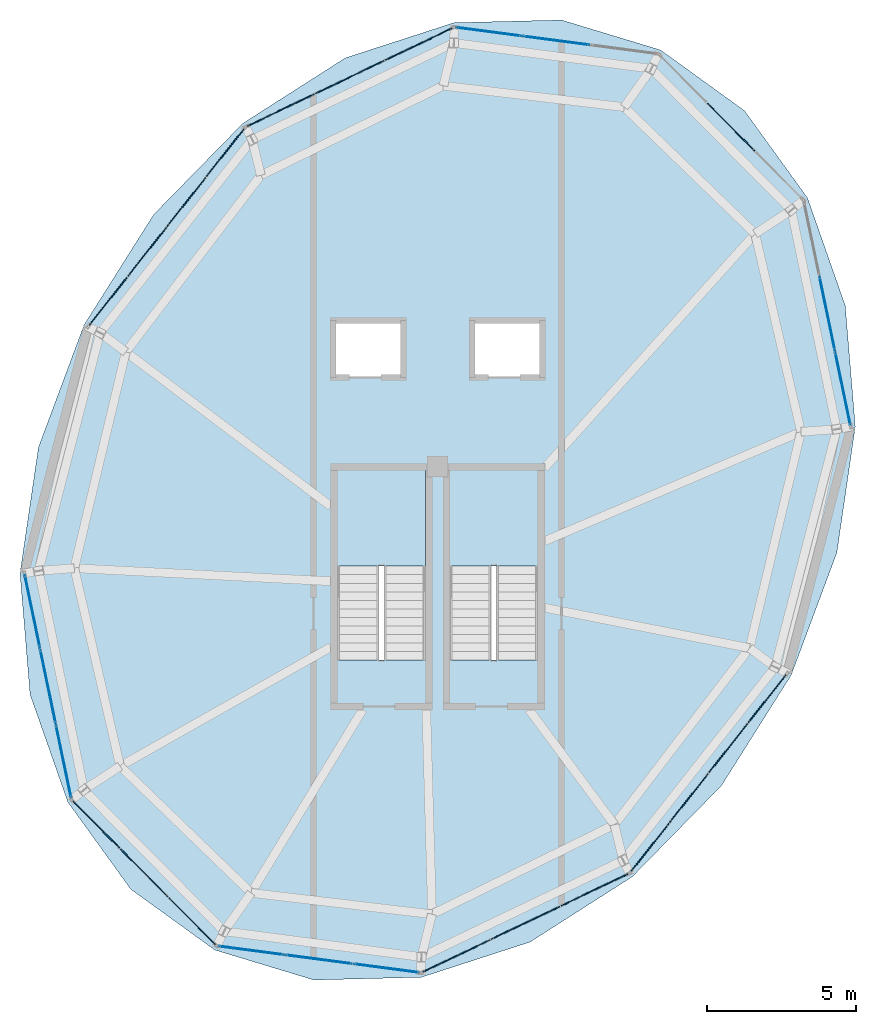
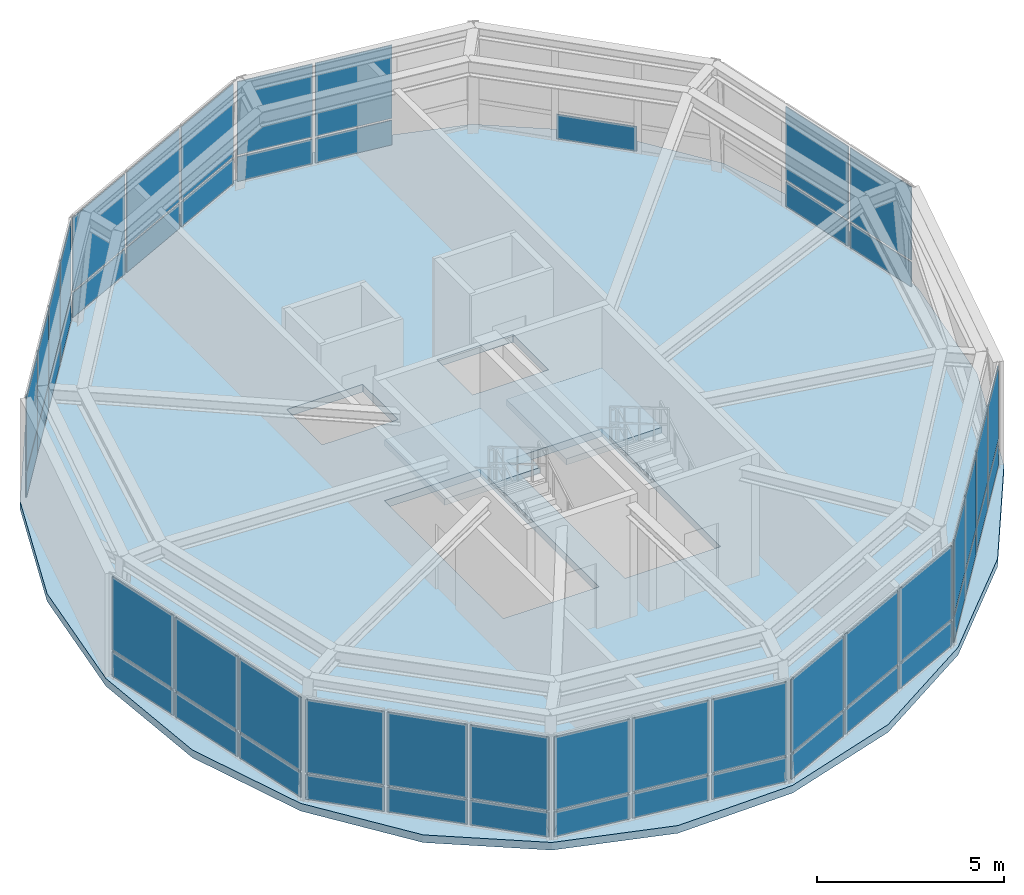
# One storey, part 9 of 11: 55 plates, 3 slabs, 12 elements without a shape of their own.
"""IFC4 building model written with IfcOpenShell, lengths in metres."""

from ifc_helpers import new_model, si_unit, direction, frame, origin, origin_2d, place, context, subcontext, project, spatial, polyline, rectangle, outline, extrude, material, layer, layer_set, type_object, element, aggregate, save


model = new_model("IFC4")

# Units and contexts
model_context = context("Model", 3, precision=1e-05, world=origin(), true_north=direction((0.0, 1.0)))
body_context = subcontext(model_context, "Body", "Model", "MODEL_VIEW")
ifc_project = project(units=[si_unit("LENGTHUNIT", "METRE"), si_unit("AREAUNIT", "SQUARE_METRE"), si_unit("VOLUMEUNIT", "CUBIC_METRE"), si_unit("PLANEANGLEUNIT", "RADIAN"), si_unit("MASSUNIT", "GRAM", prefix="KILO"), si_unit("THERMODYNAMICTEMPERATUREUNIT", "KELVIN"), si_unit("POWERUNIT", "WATT")], contexts=[model_context])

# Site, building, storey
site_placement = place(None, origin())
site = spatial("IfcSite", under=ifc_project, at=site_placement, CompositionType="ELEMENT")
building_placement = place(site_placement, origin())
building = spatial("IfcBuilding", under=site, at=building_placement, Name="Ocrelia Relay Tower", CompositionType="ELEMENT")
storey_placement = place(building_placement, frame((0.0, 0.0, 292.0)))
storey = spatial("IfcBuildingStorey", under=building, at=storey_placement, Name="L73", CompositionType="ELEMENT", Elevation=292.0)

# Curtain wall, plates
ifc_material_1 = material(Name="Aluminium and solar-control low-E glass", Category="aluminium")
ifc_layer_1 = layer(ifc_material_1, 0.179931640625, Name="Aluminium and solar-control low-E glass")
ifc_layer_set_1 = layer_set([ifc_layer_1], Name="Aluminium and solar-control low-E glass")
curtain_wall_type = type_object("IfcCurtainWallType", Name="CW-SYS-CROWN-PT", PredefinedType="NOTDEFINED", material=ifc_layer_set_1)
curtain_wall_1_placement = place(storey_placement, origin())
curtain_wall_1 = element("IfcCurtainWall", 1, at=curtain_wall_1_placement, inside=storey, type_object=curtain_wall_type, Name="L73 Faceted Glass-Point Crown Curtain Wall 01", PredefinedType="NOTDEFINED")
ifc_material_2 = material(Name="Clear double-glazed low-E glass", Category="glass")
ifc_layer_2 = layer(ifc_material_2, 0.031982421875, Name="Clear double-glazed low-E glass")
ifc_layer_set_2 = layer_set([ifc_layer_2], Name="Clear double-glazed low-E glass")
plate_type = type_object("IfcPlateType", Name="CW-SYS-CROWN-PT-PNL", PredefinedType="CURTAIN_PANEL", material=ifc_layer_set_2)
plate_1_placement = place(storey_placement, frame((37.9716796875, 41.36865234375, 0.06494140625), z_axis=(0.0, 0.0, 1.0), x_axis=(-0.991499842272, 0.13010788898, 0.0)))
plate_1 = element("IfcPlate", 2, at=plate_1_placement, type_object=plate_type, Name="CW-CR panel 2.1", PredefinedType="CURTAIN_PANEL", context=body_context, shape_type="SweptSolid", body=[
    extrude(rectangle(XDim=2.2236328125, YDim=0.031982421875, at=origin_2d()), origin(), (0.0, 0.0, 1.0), 0.802490234375),
])
plate_2_placement = place(storey_placement, frame((37.9716796875, 41.36865234375, 0.932373046875), z_axis=(0.0, 0.0, 1.0), x_axis=(-0.991499842272, 0.13010788898, 0.0)))
plate_2 = element("IfcPlate", 3, at=plate_2_placement, type_object=plate_type, Name="CW-CR panel 2.2", PredefinedType="CURTAIN_PANEL", context=body_context, shape_type="SweptSolid", body=[
    extrude(rectangle(XDim=2.2236328125, YDim=0.031982421875, at=origin_2d()), origin(), (0.0, 0.0, 1.0), 2.392578125),
])
plate_3_placement = place(storey_placement, frame((35.711181640625, 41.665283203125, 0.06494140625), z_axis=(0.0, 0.0, 1.0), x_axis=(-0.991499842272, 0.13010788898, 0.0)))
plate_3 = element("IfcPlate", 4, at=plate_3_placement, type_object=plate_type, Name="CW-CR panel 3.1", PredefinedType="CURTAIN_PANEL", context=body_context, shape_type="SweptSolid", body=[
    extrude(rectangle(XDim=2.18603515625, YDim=0.031982421875, at=origin_2d()), origin(), (0.0, 0.0, 1.0), 0.802490234375),
])
plate_4_placement = place(storey_placement, frame((35.711181640625, 41.665283203125, 0.932373046875), z_axis=(0.0, 0.0, 1.0), x_axis=(-0.991499842272, 0.13010788898, 0.0)))
plate_4 = element("IfcPlate", 5, at=plate_4_placement, type_object=plate_type, Name="CW-CR panel 3.2", PredefinedType="CURTAIN_PANEL", context=body_context, shape_type="SweptSolid", body=[
    extrude(rectangle(XDim=2.18603515625, YDim=0.031982421875, at=origin_2d()), origin(), (0.0, 0.0, 1.0), 2.392578125),
])
aggregate(curtain_wall_1, [plate_1, plate_2, plate_3, plate_4])

curtain_wall_2_placement = place(storey_placement, origin())
curtain_wall_2 = element("IfcCurtainWall", 6, at=curtain_wall_2_placement, inside=storey, type_object=curtain_wall_type, Name="L73 Faceted Glass-Point Crown Curtain Wall 02", PredefinedType="NOTDEFINED")
plate_5_placement = place(storey_placement, frame((33.371826171875, 41.25244140625, 0.06494140625), z_axis=(0.0, 0.0, 1.0), x_axis=(-0.902123949301, -0.431476975166, 0.0)))
plate_5 = element("IfcPlate", 7, at=plate_5_placement, type_object=plate_type, Name="CW-CR panel 1.1", PredefinedType="CURTAIN_PANEL", context=body_context, shape_type="SweptSolid", body=[
    extrude(rectangle(XDim=2.468505859375, YDim=0.031982421875, at=origin_2d()), origin(), (0.0, 0.0, 1.0), 0.802490234375),
])
plate_6_placement = place(storey_placement, frame((33.371826171875, 41.25244140625, 0.932373046875), z_axis=(0.0, 0.0, 1.0), x_axis=(-0.902123949301, -0.431476975166, 0.0)))
plate_6 = element("IfcPlate", 8, at=plate_6_placement, type_object=plate_type, Name="CW-CR panel 1.2", PredefinedType="CURTAIN_PANEL", context=body_context, shape_type="SweptSolid", body=[
    extrude(rectangle(XDim=2.468505859375, YDim=0.031982421875, at=origin_2d()), origin(), (0.0, 0.0, 1.0), 2.392578125),
])
plate_7_placement = place(storey_placement, frame((31.060302734375, 40.146728515625, 0.06494140625), z_axis=(0.0, 0.0, 1.0), x_axis=(-0.902123949301, -0.431476975166, 0.0)))
plate_7 = element("IfcPlate", 9, at=plate_7_placement, type_object=plate_type, Name="CW-CR panel 2.1", PredefinedType="CURTAIN_PANEL", context=body_context, shape_type="SweptSolid", body=[
    extrude(rectangle(XDim=2.506103515625, YDim=0.031982421875, at=origin_2d()), origin(), (0.0, 0.0, 1.0), 0.802490234375),
])
plate_8_placement = place(storey_placement, frame((31.060302734375, 40.146728515625, 0.932373046875), z_axis=(0.0, 0.0, 1.0), x_axis=(-0.902123949301, -0.431476975166, 0.0)))
plate_8 = element("IfcPlate", 10, at=plate_8_placement, type_object=plate_type, Name="CW-CR panel 2.2", PredefinedType="CURTAIN_PANEL", context=body_context, shape_type="SweptSolid", body=[
    extrude(rectangle(XDim=2.506103515625, YDim=0.031982421875, at=origin_2d()), origin(), (0.0, 0.0, 1.0), 2.392578125),
])
plate_9_placement = place(storey_placement, frame((28.748779296875, 39.041259765625, 0.06494140625), z_axis=(0.0, 0.0, 1.0), x_axis=(-0.902123949301, -0.431476975166, 0.0)))
plate_9 = element("IfcPlate", 11, at=plate_9_placement, type_object=plate_type, Name="CW-CR panel 3.1", PredefinedType="CURTAIN_PANEL", context=body_context, shape_type="SweptSolid", body=[
    extrude(rectangle(XDim=2.468505859375, YDim=0.031982421875, at=origin_2d()), origin(), (0.0, 0.0, 1.0), 0.802490234375),
])
plate_10_placement = place(storey_placement, frame((28.748779296875, 39.041259765625, 0.932373046875), z_axis=(0.0, 0.0, 1.0), x_axis=(-0.902123949301, -0.431476975166, 0.0)))
plate_10 = element("IfcPlate", 12, at=plate_10_placement, type_object=plate_type, Name="CW-CR panel 3.2", PredefinedType="CURTAIN_PANEL", context=body_context, shape_type="SweptSolid", body=[
    extrude(rectangle(XDim=2.468505859375, YDim=0.031982421875, at=origin_2d()), origin(), (0.0, 0.0, 1.0), 2.392578125),
])
aggregate(curtain_wall_2, [plate_5, plate_6, plate_7, plate_8, plate_9, plate_10])

curtain_wall_3_placement = place(storey_placement, origin())
curtain_wall_3 = element("IfcCurtainWall", 13, at=curtain_wall_3_placement, inside=storey, type_object=curtain_wall_type, Name="L73 Faceted Glass-Point Crown Curtain Wall 03", PredefinedType="NOTDEFINED")
plate_11_placement = place(storey_placement, frame((26.8984375, 37.6259765625, 0.06494140625), z_axis=(0.0, 0.0, 1.0), x_axis=(-0.61855435607, -0.785742011469, 0.0)))
plate_11 = element("IfcPlate", 14, at=plate_11_placement, type_object=plate_type, Name="CW-CR panel 1.1", PredefinedType="CURTAIN_PANEL", context=body_context, shape_type="SweptSolid", body=[
    extrude(rectangle(XDim=2.01416015625, YDim=0.031982421875, at=origin_2d()), origin(), (0.0, 0.0, 1.0), 0.802490234375),
])
plate_12_placement = place(storey_placement, frame((26.8984375, 37.6259765625, 0.932373046875), z_axis=(0.0, 0.0, 1.0), x_axis=(-0.61855435607, -0.785742011469, 0.0)))
plate_12 = element("IfcPlate", 15, at=plate_12_placement, type_object=plate_type, Name="CW-CR panel 1.2", PredefinedType="CURTAIN_PANEL", context=body_context, shape_type="SweptSolid", body=[
    extrude(rectangle(XDim=2.01416015625, YDim=0.031982421875, at=origin_2d()), origin(), (0.0, 0.0, 1.0), 2.392578125),
])
plate_13_placement = place(storey_placement, frame((25.594482421875, 35.9697265625, 0.06494140625), z_axis=(0.0, 0.0, 1.0), x_axis=(-0.61855435607, -0.785742011469, 0.0)))
plate_13 = element("IfcPlate", 16, at=plate_13_placement, type_object=plate_type, Name="CW-CR panel 2.1", PredefinedType="CURTAIN_PANEL", context=body_context, shape_type="SweptSolid", body=[
    extrude(rectangle(XDim=2.0517578125, YDim=0.031982421875, at=origin_2d()), origin(), (0.0, 0.0, 1.0), 0.802490234375),
])
plate_14_placement = place(storey_placement, frame((25.594482421875, 35.9697265625, 0.932373046875), z_axis=(0.0, 0.0, 1.0), x_axis=(-0.61855435607, -0.785742011469, 0.0)))
plate_14 = element("IfcPlate", 17, at=plate_14_placement, type_object=plate_type, Name="CW-CR panel 2.2", PredefinedType="CURTAIN_PANEL", context=body_context, shape_type="SweptSolid", body=[
    extrude(rectangle(XDim=2.0517578125, YDim=0.031982421875, at=origin_2d()), origin(), (0.0, 0.0, 1.0), 2.392578125),
])
plate_15_placement = place(storey_placement, frame((24.279052734375, 34.298828125, 0.06494140625), z_axis=(0.0, 0.0, 1.0), x_axis=(-0.61855435607, -0.785742011469, 0.0)))
plate_15 = element("IfcPlate", 18, at=plate_15_placement, type_object=plate_type, Name="CW-CR panel 3.1", PredefinedType="CURTAIN_PANEL", context=body_context, shape_type="SweptSolid", body=[
    extrude(rectangle(XDim=2.0517578125, YDim=0.031982421875, at=origin_2d()), origin(), (0.0, 0.0, 1.0), 0.802490234375),
])
plate_16_placement = place(storey_placement, frame((24.279052734375, 34.298828125, 0.932373046875), z_axis=(0.0, 0.0, 1.0), x_axis=(-0.61855435607, -0.785742011469, 0.0)))
plate_16 = element("IfcPlate", 19, at=plate_16_placement, type_object=plate_type, Name="CW-CR panel 3.2", PredefinedType="CURTAIN_PANEL", context=body_context, shape_type="SweptSolid", body=[
    extrude(rectangle(XDim=2.0517578125, YDim=0.031982421875, at=origin_2d()), origin(), (0.0, 0.0, 1.0), 2.392578125),
])
plate_17_placement = place(storey_placement, frame((22.975341796875, 32.642578125, 0.06494140625), z_axis=(0.0, 0.0, 1.0), x_axis=(-0.61855435607, -0.785742011469, 0.0)))
plate_17 = element("IfcPlate", 20, at=plate_17_placement, type_object=plate_type, Name="CW-CR panel 4.1", PredefinedType="CURTAIN_PANEL", context=body_context, shape_type="SweptSolid", body=[
    extrude(rectangle(XDim=2.01416015625, YDim=0.031982421875, at=origin_2d()), origin(), (0.0, 0.0, 1.0), 0.802490234375),
])
plate_18_placement = place(storey_placement, frame((22.975341796875, 32.642578125, 0.932373046875), z_axis=(0.0, 0.0, 1.0), x_axis=(-0.61855435607, -0.785742011469, 0.0)))
plate_18 = element("IfcPlate", 21, at=plate_18_placement, type_object=plate_type, Name="CW-CR panel 4.2", PredefinedType="CURTAIN_PANEL", context=body_context, shape_type="SweptSolid", body=[
    extrude(rectangle(XDim=2.01416015625, YDim=0.031982421875, at=origin_2d()), origin(), (0.0, 0.0, 1.0), 2.392578125),
])
aggregate(curtain_wall_3, [plate_11, plate_12, plate_13, plate_14, plate_15, plate_16, plate_17, plate_18])

curtain_wall_4_placement = place(storey_placement, origin())
curtain_wall_4 = element("IfcCurtainWall", 22, at=curtain_wall_4_placement, inside=storey, type_object=curtain_wall_type, Name="L73 Faceted Glass-Point Crown Curtain Wall 05", PredefinedType="NOTDEFINED")
plate_19_placement = place(storey_placement, frame((20.44384765625, 22.2744140625, 0.06494140625), z_axis=(0.0, 0.0, 1.0), x_axis=(0.203457068306, -0.979083868397, 0.0)))
plate_19 = element("IfcPlate", 23, at=plate_19_placement, type_object=plate_type, Name="CW-CR panel 1.1", PredefinedType="CURTAIN_PANEL", context=body_context, shape_type="SweptSolid", body=[
    extrude(rectangle(XDim=2.468505859375, YDim=0.031982421875, at=origin_2d()), origin(), (0.0, 0.0, 1.0), 0.802490234375),
])
plate_20_placement = place(storey_placement, frame((20.44384765625, 22.2744140625, 0.932373046875), z_axis=(0.0, 0.0, 1.0), x_axis=(0.203457068306, -0.979083868397, 0.0)))
plate_20 = element("IfcPlate", 24, at=plate_20_placement, type_object=plate_type, Name="CW-CR panel 1.2", PredefinedType="CURTAIN_PANEL", context=body_context, shape_type="SweptSolid", body=[
    extrude(rectangle(XDim=2.468505859375, YDim=0.031982421875, at=origin_2d()), origin(), (0.0, 0.0, 1.0), 2.392578125),
])
plate_21_placement = place(storey_placement, frame((20.965087890625, 19.765625, 0.06494140625), z_axis=(0.0, 0.0, 1.0), x_axis=(0.203457068306, -0.979083868397, 0.0)))
plate_21 = element("IfcPlate", 25, at=plate_21_placement, type_object=plate_type, Name="CW-CR panel 2.1", PredefinedType="CURTAIN_PANEL", context=body_context, shape_type="SweptSolid", body=[
    extrude(rectangle(XDim=2.506103515625, YDim=0.031982421875, at=origin_2d()), origin(), (0.0, 0.0, 1.0), 0.802490234375),
])
plate_22_placement = place(storey_placement, frame((20.965087890625, 19.765625, 0.932373046875), z_axis=(0.0, 0.0, 1.0), x_axis=(0.203457068306, -0.979083868397, 0.0)))
plate_22 = element("IfcPlate", 26, at=plate_22_placement, type_object=plate_type, Name="CW-CR panel 2.2", PredefinedType="CURTAIN_PANEL", context=body_context, shape_type="SweptSolid", body=[
    extrude(rectangle(XDim=2.506103515625, YDim=0.031982421875, at=origin_2d()), origin(), (0.0, 0.0, 1.0), 2.392578125),
])
plate_23_placement = place(storey_placement, frame((21.486572265625, 17.2568359375, 0.06494140625), z_axis=(0.0, 0.0, 1.0), x_axis=(0.203457068306, -0.979083868397, 0.0)))
plate_23 = element("IfcPlate", 27, at=plate_23_placement, type_object=plate_type, Name="CW-CR panel 3.1", PredefinedType="CURTAIN_PANEL", context=body_context, shape_type="SweptSolid", body=[
    extrude(rectangle(XDim=2.468505859375, YDim=0.031982421875, at=origin_2d()), origin(), (0.0, 0.0, 1.0), 0.802490234375),
])
plate_24_placement = place(storey_placement, frame((21.486572265625, 17.2568359375, 0.932373046875), z_axis=(0.0, 0.0, 1.0), x_axis=(0.203457068306, -0.979083868397, 0.0)))
plate_24 = element("IfcPlate", 28, at=plate_24_placement, type_object=plate_type, Name="CW-CR panel 3.2", PredefinedType="CURTAIN_PANEL", context=body_context, shape_type="SweptSolid", body=[
    extrude(rectangle(XDim=2.468505859375, YDim=0.031982421875, at=origin_2d()), origin(), (0.0, 0.0, 1.0), 2.392578125),
])
aggregate(curtain_wall_4, [plate_19, plate_20, plate_21, plate_22, plate_23, plate_24])

curtain_wall_5_placement = place(storey_placement, origin())
curtain_wall_5 = element("IfcCurtainWall", 29, at=curtain_wall_5_placement, inside=storey, type_object=curtain_wall_type, Name="L73 Faceted Glass-Point Crown Curtain Wall 06", PredefinedType="NOTDEFINED")
plate_25_placement = place(storey_placement, frame((22.57568359375, 15.145751953125, 0.06494140625), z_axis=(0.0, 0.0, 1.0), x_axis=(0.70433153763, -0.709871175003, 0.0)))
plate_25 = element("IfcPlate", 30, at=plate_25_placement, type_object=plate_type, Name="CW-CR panel 1.1", PredefinedType="CURTAIN_PANEL", context=body_context, shape_type="SweptSolid", body=[
    extrude(rectangle(XDim=2.18603515625, YDim=0.031982421875, at=origin_2d()), origin(), (0.0, 0.0, 1.0), 0.802490234375),
])
plate_26_placement = place(storey_placement, frame((22.57568359375, 15.145751953125, 0.932373046875), z_axis=(0.0, 0.0, 1.0), x_axis=(0.70433153763, -0.709871175003, 0.0)))
plate_26 = element("IfcPlate", 31, at=plate_26_placement, type_object=plate_type, Name="CW-CR panel 1.2", PredefinedType="CURTAIN_PANEL", context=body_context, shape_type="SweptSolid", body=[
    extrude(rectangle(XDim=2.18603515625, YDim=0.031982421875, at=origin_2d()), origin(), (0.0, 0.0, 1.0), 2.392578125),
])
plate_27_placement = place(storey_placement, frame((24.181396484375, 13.52734375, 0.06494140625), z_axis=(0.0, 0.0, 1.0), x_axis=(0.70433153763, -0.709871175003, 0.0)))
plate_27 = element("IfcPlate", 32, at=plate_27_placement, type_object=plate_type, Name="CW-CR panel 2.1", PredefinedType="CURTAIN_PANEL", context=body_context, shape_type="SweptSolid", body=[
    extrude(rectangle(XDim=2.2236328125, YDim=0.031982421875, at=origin_2d()), origin(), (0.0, 0.0, 1.0), 0.802490234375),
])
plate_28_placement = place(storey_placement, frame((24.181396484375, 13.52734375, 0.932373046875), z_axis=(0.0, 0.0, 1.0), x_axis=(0.70433153763, -0.709871175003, 0.0)))
plate_28 = element("IfcPlate", 33, at=plate_28_placement, type_object=plate_type, Name="CW-CR panel 2.2", PredefinedType="CURTAIN_PANEL", context=body_context, shape_type="SweptSolid", body=[
    extrude(rectangle(XDim=2.2236328125, YDim=0.031982421875, at=origin_2d()), origin(), (0.0, 0.0, 1.0), 2.392578125),
])
plate_29_placement = place(storey_placement, frame((25.787109375, 11.9091796875, 0.06494140625), z_axis=(0.0, 0.0, 1.0), x_axis=(0.70433153763, -0.709871175003, 0.0)))
plate_29 = element("IfcPlate", 34, at=plate_29_placement, type_object=plate_type, Name="CW-CR panel 3.1", PredefinedType="CURTAIN_PANEL", context=body_context, shape_type="SweptSolid", body=[
    extrude(rectangle(XDim=2.18603515625, YDim=0.031982421875, at=origin_2d()), origin(), (0.0, 0.0, 1.0), 0.802490234375),
])
plate_30_placement = place(storey_placement, frame((25.787109375, 11.9091796875, 0.932373046875), z_axis=(0.0, 0.0, 1.0), x_axis=(0.70433153763, -0.709871175003, 0.0)))
plate_30 = element("IfcPlate", 35, at=plate_30_placement, type_object=plate_type, Name="CW-CR panel 3.2", PredefinedType="CURTAIN_PANEL", context=body_context, shape_type="SweptSolid", body=[
    extrude(rectangle(XDim=2.18603515625, YDim=0.031982421875, at=origin_2d()), origin(), (0.0, 0.0, 1.0), 2.392578125),
])
aggregate(curtain_wall_5, [plate_25, plate_26, plate_27, plate_28, plate_29, plate_30])

curtain_wall_6_placement = place(storey_placement, origin())
curtain_wall_6 = element("IfcCurtainWall", 36, at=curtain_wall_6_placement, inside=storey, type_object=curtain_wall_type, Name="L73 Faceted Glass-Point Crown Curtain Wall 07", PredefinedType="NOTDEFINED")
plate_31_placement = place(storey_placement, frame((27.767822265625, 10.927978515625, 0.06494140625), z_axis=(0.0, 0.0, 1.0), x_axis=(0.991499842272, -0.13010788898, 0.0)))
plate_31 = element("IfcPlate", 37, at=plate_31_placement, type_object=plate_type, Name="CW-CR panel 1.1", PredefinedType="CURTAIN_PANEL", context=body_context, shape_type="SweptSolid", body=[
    extrude(rectangle(XDim=2.18603515625, YDim=0.031982421875, at=origin_2d()), origin(), (0.0, 0.0, 1.0), 0.802490234375),
])
plate_32_placement = place(storey_placement, frame((27.767822265625, 10.927978515625, 0.932373046875), z_axis=(0.0, 0.0, 1.0), x_axis=(0.991499842272, -0.13010788898, 0.0)))
plate_32 = element("IfcPlate", 38, at=plate_32_placement, type_object=plate_type, Name="CW-CR panel 1.2", PredefinedType="CURTAIN_PANEL", context=body_context, shape_type="SweptSolid", body=[
    extrude(rectangle(XDim=2.18603515625, YDim=0.031982421875, at=origin_2d()), origin(), (0.0, 0.0, 1.0), 2.392578125),
])
plate_33_placement = place(storey_placement, frame((30.0283203125, 10.63134765625, 0.06494140625), z_axis=(0.0, 0.0, 1.0), x_axis=(0.991499842272, -0.13010788898, 0.0)))
plate_33 = element("IfcPlate", 39, at=plate_33_placement, type_object=plate_type, Name="CW-CR panel 2.1", PredefinedType="CURTAIN_PANEL", context=body_context, shape_type="SweptSolid", body=[
    extrude(rectangle(XDim=2.2236328125, YDim=0.031982421875, at=origin_2d()), origin(), (0.0, 0.0, 1.0), 0.802490234375),
])
plate_34_placement = place(storey_placement, frame((30.0283203125, 10.63134765625, 0.932373046875), z_axis=(0.0, 0.0, 1.0), x_axis=(0.991499842272, -0.13010788898, 0.0)))
plate_34 = element("IfcPlate", 40, at=plate_34_placement, type_object=plate_type, Name="CW-CR panel 2.2", PredefinedType="CURTAIN_PANEL", context=body_context, shape_type="SweptSolid", body=[
    extrude(rectangle(XDim=2.2236328125, YDim=0.031982421875, at=origin_2d()), origin(), (0.0, 0.0, 1.0), 2.392578125),
])
plate_35_placement = place(storey_placement, frame((32.288818359375, 10.334716796875, 0.06494140625), z_axis=(0.0, 0.0, 1.0), x_axis=(0.991499842272, -0.13010788898, 0.0)))
plate_35 = element("IfcPlate", 41, at=plate_35_placement, type_object=plate_type, Name="CW-CR panel 3.1", PredefinedType="CURTAIN_PANEL", context=body_context, shape_type="SweptSolid", body=[
    extrude(rectangle(XDim=2.18603515625, YDim=0.031982421875, at=origin_2d()), origin(), (0.0, 0.0, 1.0), 0.802490234375),
])
plate_36_placement = place(storey_placement, frame((32.288818359375, 10.334716796875, 0.932373046875), z_axis=(0.0, 0.0, 1.0), x_axis=(0.991499842272, -0.13010788898, 0.0)))
plate_36 = element("IfcPlate", 42, at=plate_36_placement, type_object=plate_type, Name="CW-CR panel 3.2", PredefinedType="CURTAIN_PANEL", context=body_context, shape_type="SweptSolid", body=[
    extrude(rectangle(XDim=2.18603515625, YDim=0.031982421875, at=origin_2d()), origin(), (0.0, 0.0, 1.0), 2.392578125),
])
aggregate(curtain_wall_6, [plate_31, plate_32, plate_33, plate_34, plate_35, plate_36])

curtain_wall_7_placement = place(storey_placement, origin())
curtain_wall_7 = element("IfcCurtainWall", 43, at=curtain_wall_7_placement, inside=storey, type_object=curtain_wall_type, Name="L73 Faceted Glass-Point Crown Curtain Wall 08", PredefinedType="NOTDEFINED")
plate_37_placement = place(storey_placement, frame((34.628173828125, 10.74755859375, 0.06494140625), z_axis=(0.0, 0.0, 1.0), x_axis=(0.902123949301, 0.431476975166, 0.0)))
plate_37 = element("IfcPlate", 44, at=plate_37_placement, type_object=plate_type, Name="CW-CR panel 1.1", PredefinedType="CURTAIN_PANEL", context=body_context, shape_type="SweptSolid", body=[
    extrude(rectangle(XDim=2.468505859375, YDim=0.031982421875, at=origin_2d()), origin(), (0.0, 0.0, 1.0), 0.802490234375),
])
plate_38_placement = place(storey_placement, frame((34.628173828125, 10.74755859375, 0.932373046875), z_axis=(0.0, 0.0, 1.0), x_axis=(0.902123949301, 0.431476975166, 0.0)))
plate_38 = element("IfcPlate", 45, at=plate_38_placement, type_object=plate_type, Name="CW-CR panel 1.2", PredefinedType="CURTAIN_PANEL", context=body_context, shape_type="SweptSolid", body=[
    extrude(rectangle(XDim=2.468505859375, YDim=0.031982421875, at=origin_2d()), origin(), (0.0, 0.0, 1.0), 2.392578125),
])
plate_39_placement = place(storey_placement, frame((36.939697265625, 11.853271484375, 0.06494140625), z_axis=(0.0, 0.0, 1.0), x_axis=(0.902123949301, 0.431476975166, 0.0)))
plate_39 = element("IfcPlate", 46, at=plate_39_placement, type_object=plate_type, Name="CW-CR panel 2.1", PredefinedType="CURTAIN_PANEL", context=body_context, shape_type="SweptSolid", body=[
    extrude(rectangle(XDim=2.506103515625, YDim=0.031982421875, at=origin_2d()), origin(), (0.0, 0.0, 1.0), 0.802490234375),
])
plate_40_placement = place(storey_placement, frame((36.939697265625, 11.853271484375, 0.932373046875), z_axis=(0.0, 0.0, 1.0), x_axis=(0.902123949301, 0.431476975166, 0.0)))
plate_40 = element("IfcPlate", 47, at=plate_40_placement, type_object=plate_type, Name="CW-CR panel 2.2", PredefinedType="CURTAIN_PANEL", context=body_context, shape_type="SweptSolid", body=[
    extrude(rectangle(XDim=2.506103515625, YDim=0.031982421875, at=origin_2d()), origin(), (0.0, 0.0, 1.0), 2.392578125),
])
plate_41_placement = place(storey_placement, frame((39.251220703125, 12.958740234375, 0.06494140625), z_axis=(0.0, 0.0, 1.0), x_axis=(0.902123949301, 0.431476975166, 0.0)))
plate_41 = element("IfcPlate", 48, at=plate_41_placement, type_object=plate_type, Name="CW-CR panel 3.1", PredefinedType="CURTAIN_PANEL", context=body_context, shape_type="SweptSolid", body=[
    extrude(rectangle(XDim=2.468505859375, YDim=0.031982421875, at=origin_2d()), origin(), (0.0, 0.0, 1.0), 0.802490234375),
])
plate_42_placement = place(storey_placement, frame((39.251220703125, 12.958740234375, 0.932373046875), z_axis=(0.0, 0.0, 1.0), x_axis=(0.902123949301, 0.431476975166, 0.0)))
plate_42 = element("IfcPlate", 49, at=plate_42_placement, type_object=plate_type, Name="CW-CR panel 3.2", PredefinedType="CURTAIN_PANEL", context=body_context, shape_type="SweptSolid", body=[
    extrude(rectangle(XDim=2.468505859375, YDim=0.031982421875, at=origin_2d()), origin(), (0.0, 0.0, 1.0), 2.392578125),
])
aggregate(curtain_wall_7, [plate_37, plate_38, plate_39, plate_40, plate_41, plate_42])

curtain_wall_8_placement = place(storey_placement, origin())
curtain_wall_8 = element("IfcCurtainWall", 50, at=curtain_wall_8_placement, inside=storey, type_object=curtain_wall_type, Name="L73 Faceted Glass-Point Crown Curtain Wall 09", PredefinedType="NOTDEFINED")
plate_43_placement = place(storey_placement, frame((41.1015625, 14.3740234375, 0.06494140625), z_axis=(0.0, 0.0, 1.0), x_axis=(0.61855435607, 0.785742011469, 0.0)))
plate_43 = element("IfcPlate", 51, at=plate_43_placement, type_object=plate_type, Name="CW-CR panel 1.1", PredefinedType="CURTAIN_PANEL", context=body_context, shape_type="SweptSolid", body=[
    extrude(rectangle(XDim=2.01416015625, YDim=0.031982421875, at=origin_2d()), origin(), (0.0, 0.0, 1.0), 0.802490234375),
])
plate_44_placement = place(storey_placement, frame((41.1015625, 14.3740234375, 0.932373046875), z_axis=(0.0, 0.0, 1.0), x_axis=(0.61855435607, 0.785742011469, 0.0)))
plate_44 = element("IfcPlate", 52, at=plate_44_placement, type_object=plate_type, Name="CW-CR panel 1.2", PredefinedType="CURTAIN_PANEL", context=body_context, shape_type="SweptSolid", body=[
    extrude(rectangle(XDim=2.01416015625, YDim=0.031982421875, at=origin_2d()), origin(), (0.0, 0.0, 1.0), 2.392578125),
])
plate_45_placement = place(storey_placement, frame((42.405517578125, 16.0302734375, 0.06494140625), z_axis=(0.0, 0.0, 1.0), x_axis=(0.61855435607, 0.785742011469, 0.0)))
plate_45 = element("IfcPlate", 53, at=plate_45_placement, type_object=plate_type, Name="CW-CR panel 2.1", PredefinedType="CURTAIN_PANEL", context=body_context, shape_type="SweptSolid", body=[
    extrude(rectangle(XDim=2.0517578125, YDim=0.031982421875, at=origin_2d()), origin(), (0.0, 0.0, 1.0), 0.802490234375),
])
plate_46_placement = place(storey_placement, frame((42.405517578125, 16.0302734375, 0.932373046875), z_axis=(0.0, 0.0, 1.0), x_axis=(0.61855435607, 0.785742011469, 0.0)))
plate_46 = element("IfcPlate", 54, at=plate_46_placement, type_object=plate_type, Name="CW-CR panel 2.2", PredefinedType="CURTAIN_PANEL", context=body_context, shape_type="SweptSolid", body=[
    extrude(rectangle(XDim=2.0517578125, YDim=0.031982421875, at=origin_2d()), origin(), (0.0, 0.0, 1.0), 2.392578125),
])
plate_47_placement = place(storey_placement, frame((43.720947265625, 17.701171875, 0.06494140625), z_axis=(0.0, 0.0, 1.0), x_axis=(0.61855435607, 0.785742011469, 0.0)))
plate_47 = element("IfcPlate", 55, at=plate_47_placement, type_object=plate_type, Name="CW-CR panel 3.1", PredefinedType="CURTAIN_PANEL", context=body_context, shape_type="SweptSolid", body=[
    extrude(rectangle(XDim=2.0517578125, YDim=0.031982421875, at=origin_2d()), origin(), (0.0, 0.0, 1.0), 0.802490234375),
])
plate_48_placement = place(storey_placement, frame((43.720947265625, 17.701171875, 0.932373046875), z_axis=(0.0, 0.0, 1.0), x_axis=(0.61855435607, 0.785742011469, 0.0)))
plate_48 = element("IfcPlate", 56, at=plate_48_placement, type_object=plate_type, Name="CW-CR panel 3.2", PredefinedType="CURTAIN_PANEL", context=body_context, shape_type="SweptSolid", body=[
    extrude(rectangle(XDim=2.0517578125, YDim=0.031982421875, at=origin_2d()), origin(), (0.0, 0.0, 1.0), 2.392578125),
])
plate_49_placement = place(storey_placement, frame((45.024658203125, 19.357421875, 0.06494140625), z_axis=(0.0, 0.0, 1.0), x_axis=(0.61855435607, 0.785742011469, 0.0)))
plate_49 = element("IfcPlate", 57, at=plate_49_placement, type_object=plate_type, Name="CW-CR panel 4.1", PredefinedType="CURTAIN_PANEL", context=body_context, shape_type="SweptSolid", body=[
    extrude(rectangle(XDim=2.01416015625, YDim=0.031982421875, at=origin_2d()), origin(), (0.0, 0.0, 1.0), 0.802490234375),
])
plate_50_placement = place(storey_placement, frame((45.024658203125, 19.357421875, 0.932373046875), z_axis=(0.0, 0.0, 1.0), x_axis=(0.61855435607, 0.785742011469, 0.0)))
plate_50 = element("IfcPlate", 58, at=plate_50_placement, type_object=plate_type, Name="CW-CR panel 4.2", PredefinedType="CURTAIN_PANEL", context=body_context, shape_type="SweptSolid", body=[
    extrude(rectangle(XDim=2.01416015625, YDim=0.031982421875, at=origin_2d()), origin(), (0.0, 0.0, 1.0), 2.392578125),
])
aggregate(curtain_wall_8, [plate_43, plate_44, plate_45, plate_46, plate_47, plate_48, plate_49, plate_50])

curtain_wall_9_placement = place(storey_placement, origin())
curtain_wall_9 = element("IfcCurtainWall", 59, at=curtain_wall_9_placement, inside=storey, type_object=curtain_wall_type, Name="L73 Faceted Glass-Point Crown Curtain Wall 11", PredefinedType="NOTDEFINED")
plate_51_placement = place(storey_placement, frame((47.55615234375, 29.7255859375, 0.06494140625), z_axis=(0.0, 0.0, 1.0), x_axis=(-0.203457068306, 0.979083868397, 0.0)))
plate_51 = element("IfcPlate", 60, at=plate_51_placement, type_object=plate_type, Name="CW-CR panel 1.1", PredefinedType="CURTAIN_PANEL", context=body_context, shape_type="SweptSolid", body=[
    extrude(rectangle(XDim=2.468505859375, YDim=0.031982421875, at=origin_2d()), origin(), (0.0, 0.0, 1.0), 0.802490234375),
])
plate_52_placement = place(storey_placement, frame((47.55615234375, 29.7255859375, 0.932373046875), z_axis=(0.0, 0.0, 1.0), x_axis=(-0.203457068306, 0.979083868397, 0.0)))
plate_52 = element("IfcPlate", 61, at=plate_52_placement, type_object=plate_type, Name="CW-CR panel 1.2", PredefinedType="CURTAIN_PANEL", context=body_context, shape_type="SweptSolid", body=[
    extrude(rectangle(XDim=2.468505859375, YDim=0.031982421875, at=origin_2d()), origin(), (0.0, 0.0, 1.0), 2.392578125),
])
plate_53_placement = place(storey_placement, frame((47.034912109375, 32.234375, 0.06494140625), z_axis=(0.0, 0.0, 1.0), x_axis=(-0.203457068306, 0.979083868397, 0.0)))
plate_53 = element("IfcPlate", 62, at=plate_53_placement, type_object=plate_type, Name="CW-CR panel 2.1", PredefinedType="CURTAIN_PANEL", context=body_context, shape_type="SweptSolid", body=[
    extrude(rectangle(XDim=2.506103515625, YDim=0.031982421875, at=origin_2d()), origin(), (0.0, 0.0, 1.0), 0.802490234375),
])
plate_54_placement = place(storey_placement, frame((47.034912109375, 32.234375, 0.932373046875), z_axis=(0.0, 0.0, 1.0), x_axis=(-0.203457068306, 0.979083868397, 0.0)))
plate_54 = element("IfcPlate", 63, at=plate_54_placement, type_object=plate_type, Name="CW-CR panel 2.2", PredefinedType="CURTAIN_PANEL", context=body_context, shape_type="SweptSolid", body=[
    extrude(rectangle(XDim=2.506103515625, YDim=0.031982421875, at=origin_2d()), origin(), (0.0, 0.0, 1.0), 2.392578125),
])
aggregate(curtain_wall_9, [plate_51, plate_52, plate_53, plate_54])

# Curtain wall, plate
curtain_wall_10_placement = place(storey_placement, origin())
curtain_wall_10 = element("IfcCurtainWall", 64, at=curtain_wall_10_placement, inside=storey, type_object=curtain_wall_type, Name="L73 Faceted Glass-Point Crown Curtain Wall 12", PredefinedType="NOTDEFINED")
plate_55_placement = place(storey_placement, frame((43.818603515625, 38.47265625, 0.06494140625), z_axis=(0.0, 0.0, 1.0), x_axis=(-0.70433153763, 0.709871175003, 0.0)))
plate_55 = element("IfcPlate", 65, at=plate_55_placement, type_object=plate_type, Name="CW-CR panel 2.1", PredefinedType="CURTAIN_PANEL", context=body_context, shape_type="SweptSolid", body=[
    extrude(rectangle(XDim=2.2236328125, YDim=0.031982421875, at=origin_2d()), origin(), (0.0, 0.0, 1.0), 0.802490234375),
])
aggregate(curtain_wall_10, [plate_55])

# Slab
ifc_material_3 = material(Name="Concrete C50/60", Category="concrete")
ifc_layer_3 = layer(ifc_material_3, 0.25, Name="Concrete C50/60")
ifc_layer_set_3 = layer_set([ifc_layer_3], Name="Concrete C50/60")
slab_type_1 = type_object("IfcSlabType", Name="SL-FLR-250", PredefinedType="FLOOR", material=ifc_layer_set_3)
slab_1_placement = place(storey_placement, frame((0.0, 0.0, -0.25)))
element("IfcSlab", 66, at=slab_1_placement, inside=storey, type_object=slab_type_1, Name="L73 Elliptical Tower Floor Slab", PredefinedType="FLOOR", context=body_context, shape_type="SweptSolid", body=[
    extrude(outline(polyline([(41.456787109375, 41.054443359375), (38.14111328125, 42.057861328125), (34.54345703125, 41.967041015625), (30.90869140625, 40.7880859375), (27.484619140625, 38.601318359375), (24.50439453125, 35.5556640625), (22.17138671875, 31.85888671875), (20.64453125, 27.7626953125), (20.02783203125, 23.546630859375), (20.36328125, 19.497802734375), (21.6279296875, 15.891845703125), (23.73583984375, 12.974853515625), (26.543212890625, 10.945556640625), (29.85888671875, 9.942138671875), (33.45654296875, 10.032958984375), (37.09130859375, 11.2119140625), (40.515380859375, 13.398681640625), (43.49560546875, 16.4443359375), (45.82861328125, 20.14111328125), (47.35546875, 24.2373046875), (47.97216796875, 28.453369140625), (47.63671875, 32.502197265625), (46.3720703125, 36.108154296875), (44.26416015625, 39.025146484375), (41.456787109375, 41.054443359375)]), holes=[polyline([(33.60009765625, 20.64990234375), (33.60009765625, 27.0), (30.639892578125, 27.0), (30.639892578125, 20.64990234375), (33.60009765625, 20.64990234375)]), polyline([(37.360107421875, 20.64990234375), (37.360107421875, 27.0), (34.39990234375, 27.0), (34.39990234375, 20.64990234375), (37.360107421875, 20.64990234375)]), polyline([(30.5, 30.10009765625), (32.85009765625, 30.10009765625), (32.85009765625, 32.0), (30.5, 32.0), (30.5, 30.10009765625)]), polyline([(35.14990234375, 30.10009765625), (37.5, 30.10009765625), (37.5, 32.0), (35.14990234375, 32.0), (35.14990234375, 30.10009765625)])]), origin(), (0.0, 0.0, 1.0), 0.25),
])

# Stair, slab
stair_type = type_object("IfcStairType", Name="ST-DL-1400-R167", PredefinedType="HALF_TURN_STAIR", material=ifc_material_3)
stair_1_placement = place(storey_placement, origin())
stair_1 = element("IfcStair", 67, at=stair_1_placement, inside=storey, type_object=stair_type, Name="L73 Crown North-West Stair ST4", PredefinedType="HALF_TURN_STAIR")
ifc_layer_4 = layer(ifc_material_3, 0.199951171875, Name="Concrete C50/60")
ifc_layer_set_4 = layer_set([ifc_layer_4], Name="Concrete C50/60")
slab_type_2 = type_object("IfcSlabType", Name="SL-LANDING-200", PredefinedType="LANDING", material=ifc_layer_set_4)
slab_2_placement = place(storey_placement, frame((0.0, 0.0, 1.800048828125)))
slab_2 = element("IfcSlab", 68, at=slab_2_placement, type_object=slab_type_2, Name="ST4 landing 1", PredefinedType="LANDING", context=body_context, shape_type="SweptSolid", body=[
    extrude(outline(polyline([(33.60009765625, 23.784912109375), (33.60009765625, 27.0), (30.639892578125, 27.0), (30.639892578125, 23.784912109375), (33.60009765625, 23.784912109375)])), origin(), (0.0, 0.0, 1.0), 0.199951171875),
])
aggregate(stair_1, [slab_2])

stair_2_placement = place(storey_placement, origin())
stair_2 = element("IfcStair", 69, at=stair_2_placement, inside=storey, type_object=stair_type, Name="L73 Crown North-East Stair ST5", PredefinedType="HALF_TURN_STAIR")
slab_3_placement = place(storey_placement, frame((0.0, 0.0, 1.800048828125)))
slab_3 = element("IfcSlab", 70, at=slab_3_placement, type_object=slab_type_2, Name="ST5 landing 1", PredefinedType="LANDING", context=body_context, shape_type="SweptSolid", body=[
    extrude(outline(polyline([(37.360107421875, 23.784912109375), (37.360107421875, 27.0), (34.39990234375, 27.0), (34.39990234375, 23.784912109375), (37.360107421875, 23.784912109375)])), origin(), (0.0, 0.0, 1.0), 0.199951171875),
])
aggregate(stair_2, [slab_3])

save(model, "model.ifc")
